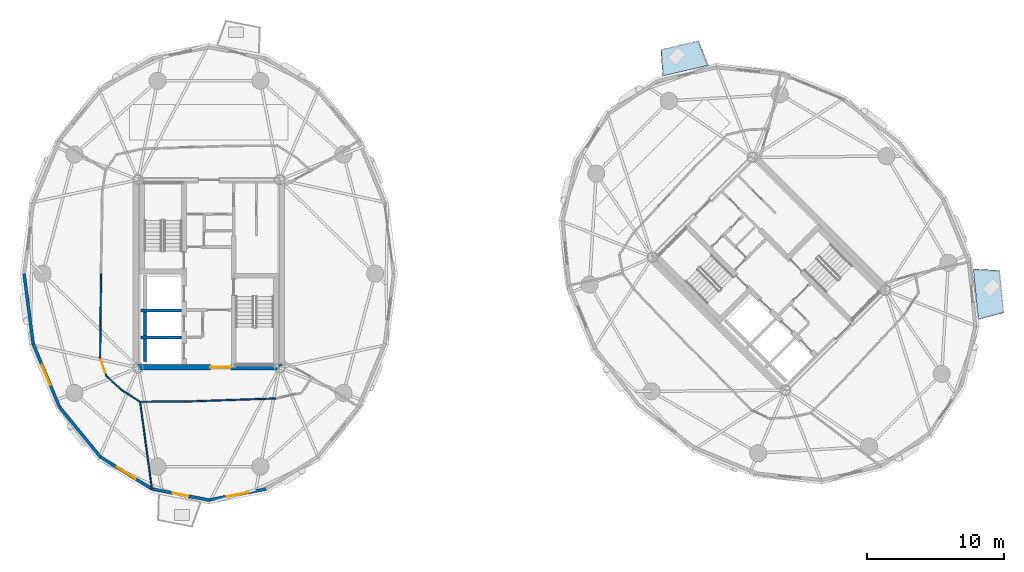
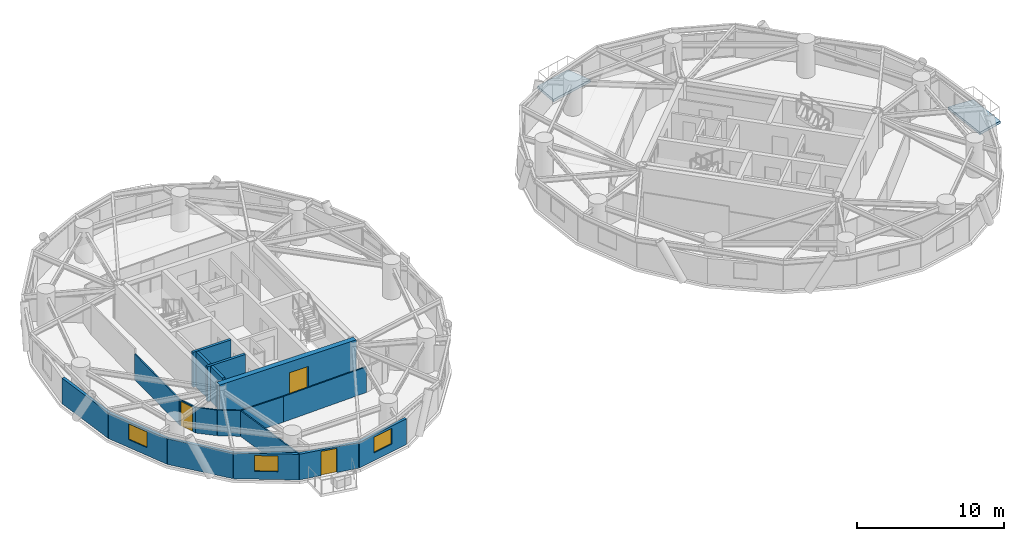
# One storey, part 7 of 15: 18 walls, 3 doors, 3 windows, 2 slabs, 6 openings.
"""IFC4 building model written with IfcOpenShell, lengths in metres."""

from ifc_helpers import new_model, si_unit, direction, frame, frame_2d, origin, place, context, subcontext, project, spatial, polyline, rectangle, outline, extrude, source, transform, mapped, material, layer, layer_set, type_object, element, fill, save


model = new_model("IFC4")

# Units and contexts
model_context = context("Model", 3, precision=1e-05, world=origin(), true_north=direction((0.0, 1.0)))
body_context = subcontext(model_context, "Body", "Model", "MODEL_VIEW")
ifc_project = project(units=[si_unit("LENGTHUNIT", "METRE"), si_unit("AREAUNIT", "SQUARE_METRE"), si_unit("VOLUMEUNIT", "CUBIC_METRE"), si_unit("PLANEANGLEUNIT", "RADIAN"), si_unit("MASSUNIT", "GRAM", prefix="KILO")], contexts=[model_context])

# Site, building, storey
site_placement = place(None, origin())
site = spatial("IfcSite", under=ifc_project, at=site_placement, CompositionType="ELEMENT")
building_placement = place(site_placement, origin())
building = spatial("IfcBuilding", under=site, at=building_placement, Name="Cununo Teusaquillo Station Towers", CompositionType="ELEMENT")
storey_placement = place(building_placement, frame((0.0, 0.0, 189.429931640625)))
storey = spatial("IfcBuildingStorey", under=building, at=storey_placement, Name="L60", CompositionType="ELEMENT", Elevation=189.429931640625)

# Slabs
ifc_material_1 = material(Name="Concrete C50/60", Category="concrete")
ifc_layer_1 = layer(ifc_material_1, 0.2099609375)
ifc_layer_set_1 = layer_set([ifc_layer_1], Name="Concrete C50/60")
slab_type = type_object("IfcSlabType", Name="SLB-BAL-210", PredefinedType="FLOOR", material=ifc_layer_set_1)
slab_1_placement = place(storey_placement, frame((0.0, 0.0, -0.2099609375)))
element("IfcSlab", 1, at=slab_1_placement, inside=storey, type_object=slab_type, Name="L60 Tower B Sky Garden Terrace Slab 1", PredefinedType="FLOOR", context=body_context, shape_type="SweptSolid", body=[
    extrude(outline(polyline([(53.064208984375, 39.75927734375), (49.720703125, 38.979248046875), (49.57763671875, 40.912353515625), (52.3369140625, 41.55615234375), (53.064208984375, 39.75927734375)])), origin(), (0.0, 0.0, 1.0), 0.2099609375),
])
slab_2_placement = place(storey_placement, frame((0.0, 0.0, -0.2099609375)))
element("IfcSlab", 2, at=slab_2_placement, inside=storey, type_object=slab_type, Name="L60 Tower B Tree Balcony Slab 2", PredefinedType="FLOOR", context=body_context, shape_type="SweptSolid", body=[
    extrude(outline(polyline([(72.830078125, 21.148681640625), (72.46337890625, 24.8505859375), (74.3984375, 24.740966796875), (74.706298828125, 21.63623046875), (72.830078125, 21.148681640625)])), origin(), (0.0, 0.0, 1.0), 0.2099609375),
])

# Walls
ifc_material_2 = material(Name="Concrete C50/60", Category="concrete")
ifc_layer_2 = layer(ifc_material_2, 0.199951171875)
ifc_layer_set_2 = layer_set([ifc_layer_2], Name="Concrete C50/60")
wall_type_1 = type_object("IfcWallType", Name="WL-CORE-200", PredefinedType="SHEAR", material=ifc_layer_set_2)
for number, where, z_axis, x_axis, name in (
    (3, (11.52001953125, 21.800048828125, 0.0), (0.0, 0.0, 1.0), (1.0, 0.0, 0.0), "L60 Tower A Firefighting Lift Shaft South Shear Wall"),
    (4, (11.52001953125, 19.824951171875, 0.0), (0.0, 0.0, 1.0), (1.0, 0.0, 0.0), "L60 Tower A High-Rise Lift Hoistway Divider Shear Wall"),
):
    element("IfcWall", number, at=place(storey_placement, frame(where, z_axis=z_axis, x_axis=x_axis)), inside=storey, type_object=wall_type_1, Name=name, PredefinedType="SHEAR", context=body_context, shape_type="SweptSolid", body=[
        extrude(rectangle(XDim=2.969970703125, YDim=0.199951171875, at=frame_2d((1.48486328125, 0.0))), origin(), (0.0, 0.0, 1.0), 2.91015625),
    ])
wall_1_placement = place(storey_placement, frame((11.820068359375, 19.945068359375, 0.0), z_axis=(0.0, 0.0, 1.0), x_axis=(0.0, 1.0, 0.0)))
element("IfcWall", 5, at=wall_1_placement, inside=storey, type_object=wall_type_1, Name="L60 Tower A High-Rise Lift 2 Shaft Rear Shear Wall", PredefinedType="SHEAR", context=body_context, shape_type="SweptSolid", body=[
    extrude(rectangle(XDim=1.73486328125, YDim=0.199951171875, at=frame_2d((0.867431640625, 0.0))), origin(), (0.0, 0.0, 1.0), 2.91015625),
])
wall_2_placement = place(storey_placement, frame((11.820068359375, 18.070068359375, 0.0), z_axis=(0.0, 0.0, 1.0), x_axis=(0.0, 1.0, 0.0)))
element("IfcWall", 6, at=wall_2_placement, inside=storey, type_object=wall_type_1, Name="L60 Tower A High-Rise Lift 1 Shaft Rear Shear Wall", PredefinedType="SHEAR", context=body_context, shape_type="SweptSolid", body=[
    extrude(rectangle(XDim=1.635009765625, YDim=0.199951171875, at=frame_2d((0.8173828125, 0.0))), origin(), (0.0, 0.0, 1.0), 2.91015625),
])

# Wall, opening, door
ifc_material_3 = material(Name="Concrete C50/60", Category="concrete")
ifc_layer_3 = layer(ifc_material_3, 0.39990234375)
ifc_layer_set_3 = layer_set([ifc_layer_3], Name="Concrete C50/60")
wall_type_2 = type_object("IfcWallType", Name="WL-CORE-400", PredefinedType="SHEAR", material=ifc_layer_set_3)
wall_3_placement = place(storey_placement, frame((11.14990234375, 17.64990234375, 0.0), z_axis=(0.0, 0.0, 1.0), x_axis=(1.0, 0.0, 0.0)))
wall_3 = element("IfcWall", 7, at=wall_3_placement, inside=storey, type_object=wall_type_2, Name="L60 Tower A Core Shear Wall S", PredefinedType="SHEAR", context=body_context, shape_type="SweptSolid", body=[
    extrude(rectangle(XDim=10.7001953125, YDim=0.39990234375, at=frame_2d((5.35009765625, 0.0))), origin(), (0.0, 0.0, 1.0), 2.91015625),
])
shared_shape_1 = source(origin(), body_context, "Body", "SweptSolid", [
    extrude(rectangle(XDim=1.5, YDim=2.02001953125, at=frame_2d((0.75, 1.010009765625))), frame((0.0, 0.2099609375, 0.0), z_axis=(0.0, -1.0, 0.0), x_axis=(1.0, 0.0, 0.0)), (0.0, 0.0, 1.0), 0.419921875),
])
opening_1_placement = place(wall_3_placement, frame((5.449951171875, 0.0, 0.0)))
opening_1 = element("IfcOpeningElement", 8, at=opening_1_placement, cuts=wall_3, Name="Opening D-LB1", PredefinedType="OPENING", context=body_context, shape_type="MappedRepresentation", body=[
    mapped(shared_shape_1, transform((0.0, 0.0, 0.0), x_axis=(1.0, 0.0, 0.0), y_axis=(0.0, 1.0, 0.0), z_axis=(0.0, 0.0, 1.0), scale=1.0)),
])
ifc_material_4 = material(Name="Galvanised fire-rated hollow steel door assembly", Category="steel")
door_type_1 = type_object("IfcDoorType", Name="DR-LOBBY-1500", OperationType="DOUBLE_DOOR_SINGLE_SWING", PredefinedType="DOOR", material=ifc_material_4)
shared_shape_2 = source(origin(), body_context, "Body", "SweptSolid", [
    extrude(rectangle(XDim=1.5, YDim=2.02001953125, at=frame_2d((0.75, 1.010009765625))), frame((0.0, 0.02490234375, 0.0), z_axis=(0.0, -1.0, 0.0), x_axis=(1.0, 0.0, 0.0)), (0.0, 0.0, 1.0), 0.050048828125),
])
door_1_placement = place(opening_1_placement, origin())
door_1 = element("IfcDoor", 9, at=door_1_placement, inside=storey, type_object=door_type_1, Name="L60 Tower A South Core Lift Lobby Door", OperationType="DOUBLE_DOOR_SINGLE_SWING", OverallHeight=2.02001953125, OverallWidth=1.5, PredefinedType="DOOR", context=body_context, shape_type="MappedRepresentation", body=[
    mapped(shared_shape_2, transform((0.0, 0.0, 0.0), x_axis=(1.0, 0.0, 0.0), y_axis=(0.0, 1.0, 0.0), z_axis=(0.0, 0.0, 1.0), scale=1.0)),
])
fill(opening_1, door_1)

# Wall
ifc_material_5 = material(Name="Precast concrete C40/50", Category="concrete")
ifc_layer_4 = layer(ifc_material_5, 0.219970703125)
ifc_layer_set_4 = layer_set([ifc_layer_4], Name="Precast concrete C40/50")
wall_type_3 = type_object("IfcWallType", Name="WL-EXT-220", PredefinedType="SOLIDWALL", material=ifc_layer_set_4)
wall_4_placement = place(storey_placement, frame((3.63134765625, 19.379638671875, 0.0), z_axis=(0.0, 0.0, 1.0), x_axis=(-0.128287912609, 0.991736966881, 0.0)))
element("IfcWall", 10, at=wall_4_placement, inside=storey, type_object=wall_type_3, Name="L60 Tower A Exterior Facade Wall C10", PredefinedType="SOLIDWALL", context=body_context, shape_type="SweptSolid", body=[
    extrude(rectangle(XDim=5.1630859375, YDim=0.219970703125, at=frame_2d((2.58154296875, 0.0))), origin(), (0.0, 0.0, 1.0), 2.125),
])

# Wall, opening, window
wall_5_placement = place(storey_placement, frame((5.55322265625, 14.760498046875, 0.0), z_axis=(0.0, 0.0, 1.0), x_axis=(-0.384144094086, 0.923273152961, 0.0)))
wall_5 = element("IfcWall", 11, at=wall_5_placement, inside=storey, type_object=wall_type_3, Name="L60 Tower A Exterior Facade Wall C11", PredefinedType="SOLIDWALL", context=body_context, shape_type="SweptSolid", body=[
    extrude(rectangle(XDim=5.0029296875, YDim=0.219970703125, at=frame_2d((2.50146484375, 0.0))), origin(), (0.0, 0.0, 1.0), 2.125),
])
shared_shape_3 = source(origin(), body_context, "Body", "SweptSolid", [
    extrude(rectangle(XDim=1.60009765625, YDim=1.300048828125, at=frame_2d((0.800048828125, 0.64990234375))), frame((0.0, 0.119873046875, 0.0), z_axis=(0.0, -1.0, 0.0), x_axis=(1.0, 0.0, 0.0)), (0.0, 0.0, 1.0), 0.239990234375),
])
opening_2_placement = place(wall_5_placement, frame((1.701904296875, 0.0, 0.64990234375)))
opening_2 = element("IfcOpeningElement", 12, at=opening_2_placement, cuts=wall_5, Name="Opening WN-03", PredefinedType="OPENING", context=body_context, shape_type="MappedRepresentation", body=[
    mapped(shared_shape_3, transform((0.0, 0.0, 0.0), x_axis=(1.0, 0.0, 0.0), y_axis=(0.0, 1.0, 0.0), z_axis=(0.0, 0.0, 1.0), scale=1.0)),
])
ifc_material_6 = material(Name="Ceramic-fritted dark low-E double glazing", Category="glass")
window_type = type_object("IfcWindowType", Name="WIN-CORN-1600", PartitioningType="SINGLE_PANEL", PredefinedType="WINDOW", material=ifc_material_6)
shared_shape_4 = source(origin(), body_context, "Body", "SweptSolid", [
    extrude(rectangle(XDim=1.60009765625, YDim=1.300048828125, at=frame_2d((0.800048828125, 0.64990234375))), frame((0.0, 0.030029296875, 0.0), z_axis=(0.0, -1.0, 0.0), x_axis=(1.0, 0.0, 0.0)), (0.0, 0.0, 1.0), 0.06005859375),
])
window_1_placement = place(opening_2_placement, origin())
window_1 = element("IfcWindow", 13, at=window_1_placement, inside=storey, type_object=window_type, Name="L60 Tower A Facade Window C11", OverallHeight=1.300048828125, OverallWidth=1.60009765625, PartitioningType="SINGLE_PANEL", PredefinedType="WINDOW", context=body_context, shape_type="MappedRepresentation", body=[
    mapped(shared_shape_4, transform((0.0, 0.0, 0.0), x_axis=(1.0, 0.0, 0.0), y_axis=(0.0, 1.0, 0.0), z_axis=(0.0, 0.0, 1.0), scale=1.0)),
])
fill(opening_2, window_1)

# Wall
wall_6_placement = place(storey_placement, frame((8.546630859375, 11.094482421875, 0.0), z_axis=(0.0, 0.0, 1.0), x_axis=(-0.632470615287, 0.774584353572, 0.0)))
element("IfcWall", 14, at=wall_6_placement, inside=storey, type_object=wall_type_3, Name="L60 Tower A Exterior Facade Wall C12", PredefinedType="SOLIDWALL", context=body_context, shape_type="SweptSolid", body=[
    extrude(rectangle(XDim=4.73291015625, YDim=0.219970703125, at=frame_2d((2.366455078125, 0.0))), origin(), (0.0, 0.0, 1.0), 2.125),
])

# Wall, opening, window
wall_7_placement = place(storey_placement, frame((12.318603515625, 8.740966796875, 0.0), z_axis=(0.0, 0.0, 1.0), x_axis=(-0.848399108042, 0.529357113368, 0.0)))
wall_7 = element("IfcWall", 15, at=wall_7_placement, inside=storey, type_object=wall_type_3, Name="L60 Tower A Exterior Facade Wall C13", PredefinedType="SOLIDWALL", context=body_context, shape_type="SweptSolid", body=[
    extrude(rectangle(XDim=4.446044921875, YDim=0.219970703125, at=frame_2d((2.22314453125, 0.0))), origin(), (0.0, 0.0, 1.0), 2.125),
])
opening_3_placement = place(wall_7_placement, frame((1.423095703125, 0.0, 0.64990234375)))
opening_3 = element("IfcOpeningElement", 16, at=opening_3_placement, cuts=wall_7, Name="Opening WN-03", PredefinedType="OPENING", context=body_context, shape_type="MappedRepresentation", body=[
    mapped(shared_shape_3, transform((0.0, 0.0, 0.0), x_axis=(1.0, 0.0, 0.0), y_axis=(0.0, 1.0, 0.0), z_axis=(0.0, 0.0, 1.0), scale=1.0)),
])
window_2_placement = place(opening_3_placement, origin())
window_2 = element("IfcWindow", 17, at=window_2_placement, inside=storey, type_object=window_type, Name="L60 Tower A Facade Window C13", OverallHeight=1.300048828125, OverallWidth=1.60009765625, PartitioningType="SINGLE_PANEL", PredefinedType="WINDOW", context=body_context, shape_type="MappedRepresentation", body=[
    mapped(shared_shape_4, transform((0.0, 0.0, 0.0), x_axis=(1.0, 0.0, 0.0), y_axis=(0.0, 1.0, 0.0), z_axis=(0.0, 0.0, 1.0), scale=1.0)),
])
fill(opening_3, window_2)

# Wall, opening, door
wall_8_placement = place(storey_placement, frame((16.5, 7.929931640625, 0.0), z_axis=(0.0, 0.0, 1.0), x_axis=(-0.981703883443, 0.190413983815, 0.0)))
wall_8 = element("IfcWall", 18, at=wall_8_placement, inside=storey, type_object=wall_type_3, Name="L60 Tower A Exterior Facade Wall C14", PredefinedType="SOLIDWALL", context=body_context, shape_type="SweptSolid", body=[
    extrude(rectangle(XDim=4.25927734375, YDim=0.219970703125, at=frame_2d((2.129638671875, 0.0))), origin(), (0.0, 0.0, 1.0), 2.125),
])
shared_shape_5 = source(origin(), body_context, "Body", "SweptSolid", [
    extrude(rectangle(XDim=1.14990234375, YDim=2.0048828125, at=frame_2d((0.574951171875, 1.00244140625))), frame((0.0, 0.119873046875, 0.0), z_axis=(0.0, -1.0, 0.0), x_axis=(1.0, 0.0, 0.0)), (0.0, 0.0, 1.0), 0.239990234375),
])
opening_4_placement = place(wall_8_placement, frame((1.554931640625, 0.0, 0.0)))
opening_4 = element("IfcOpeningElement", 19, at=opening_4_placement, cuts=wall_8, Name="Opening ED-03", PredefinedType="OPENING", context=body_context, shape_type="MappedRepresentation", body=[
    mapped(shared_shape_5, transform((0.0, 0.0, 0.0), x_axis=(1.0, 0.0, 0.0), y_axis=(0.0, 1.0, 0.0), z_axis=(0.0, 0.0, 1.0), scale=1.0)),
])
ifc_material_7 = material(Name="Anodised dark bronze aluminium EN AW-6063-T6", Category="aluminium")
door_type_2 = type_object("IfcDoorType", Name="DR-EXT-BAL", OperationType="NOTDEFINED", PredefinedType="DOOR", material=ifc_material_7)
shared_shape_6 = source(origin(), body_context, "Body", "SweptSolid", [
    extrude(rectangle(XDim=1.14990234375, YDim=2.0048828125, at=frame_2d((0.574951171875, 1.00244140625))), frame((0.0, 0.02490234375, 0.0), z_axis=(0.0, -1.0, 0.0), x_axis=(1.0, 0.0, 0.0)), (0.0, 0.0, 1.0), 0.050048828125),
])
door_2_placement = place(opening_4_placement, origin())
door_2 = element("IfcDoor", 20, at=door_2_placement, inside=storey, type_object=door_type_2, Name="L60 Tower A Tree Balcony Door C14", OperationType="SINGLE_SWING_LEFT", OverallHeight=2.0048828125, OverallWidth=1.14990234375, PredefinedType="DOOR", context=body_context, shape_type="MappedRepresentation", body=[
    mapped(shared_shape_6, transform((0.0, 0.0, 0.0), x_axis=(1.0, 0.0, 0.0), y_axis=(0.0, 1.0, 0.0), z_axis=(0.0, 0.0, 1.0), scale=1.0)),
])
fill(opening_4, door_2)

# Wall, opening, window
wall_9_placement = place(storey_placement, frame((20.681396484375, 8.740966796875, 0.0), z_axis=(0.0, 0.0, 1.0), x_axis=(-0.981703883443, -0.190413983815, 0.0)))
wall_9 = element("IfcWall", 21, at=wall_9_placement, inside=storey, type_object=wall_type_3, Name="L60 Tower A Exterior Facade Wall C15", PredefinedType="SOLIDWALL", context=body_context, shape_type="SweptSolid", body=[
    extrude(rectangle(XDim=4.25927734375, YDim=0.219970703125, at=frame_2d((2.129638671875, 0.0))), origin(), (0.0, 0.0, 1.0), 2.125),
])
opening_5_placement = place(wall_9_placement, frame((1.330078125, 0.0, 0.64990234375)))
opening_5 = element("IfcOpeningElement", 22, at=opening_5_placement, cuts=wall_9, Name="Opening WN-03", PredefinedType="OPENING", context=body_context, shape_type="MappedRepresentation", body=[
    mapped(shared_shape_3, transform((0.0, 0.0, 0.0), x_axis=(1.0, 0.0, 0.0), y_axis=(0.0, 1.0, 0.0), z_axis=(0.0, 0.0, 1.0), scale=1.0)),
])
window_3_placement = place(opening_5_placement, origin())
window_3 = element("IfcWindow", 23, at=window_3_placement, inside=storey, type_object=window_type, Name="L60 Tower A Facade Window C15", OverallHeight=1.300048828125, OverallWidth=1.60009765625, PartitioningType="SINGLE_PANEL", PredefinedType="WINDOW", context=body_context, shape_type="MappedRepresentation", body=[
    mapped(shared_shape_4, transform((0.0, 0.0, 0.0), x_axis=(1.0, 0.0, 0.0), y_axis=(0.0, 1.0, 0.0), z_axis=(0.0, 0.0, 1.0), scale=1.0)),
])
fill(opening_5, window_3)

# Wall
ifc_material_8 = material(Name="Fire-rated gypsum plasterboard partition assembly", Category="gypsum")
ifc_layer_5 = layer(ifc_material_8, 0.10009765625)
ifc_layer_set_5 = layer_set([ifc_layer_5], Name="Fire-rated gypsum plasterboard partition assembly")
wall_type_4 = type_object("IfcWallType", Name="WL-PART-100", PredefinedType="MOVABLE", material=ifc_layer_set_5)
wall_10_placement = place(storey_placement, frame((8.60009765625, 24.5, 0.0), z_axis=(0.0, 0.0, 1.0), x_axis=(-0.010023665349, -0.999949761805, 0.0)))
element("IfcWall", 24, at=wall_10_placement, inside=storey, type_object=wall_type_4, Name="L60 Tower A Corridor Ring Wall C10", PredefinedType="MOVABLE", context=body_context, shape_type="SweptSolid", body=[
    extrude(rectangle(XDim=6.162109375, YDim=0.10009765625, at=frame_2d((3.0810546875, 0.0))), origin(), (0.0, 0.0, 1.0), 2.125),
])

# Wall, opening, door
wall_11_placement = place(storey_placement, frame((8.538330078125, 18.338134765625, 0.0), z_axis=(0.0, 0.0, 1.0), x_axis=(0.331358150167, -0.94350504838, 0.0)))
wall_11 = element("IfcWall", 25, at=wall_11_placement, inside=storey, type_object=wall_type_4, Name="L60 Tower A Corridor Ring Wall C11", PredefinedType="MOVABLE", context=body_context, shape_type="SweptSolid", body=[
    extrude(rectangle(XDim=1.42431640625, YDim=0.10009765625, at=frame_2d((0.712158203125, 0.0))), origin(), (0.0, 0.0, 1.0), 2.125),
])
shared_shape_7 = source(origin(), body_context, "Body", "SweptSolid", [
    extrude(rectangle(XDim=1.050048828125, YDim=2.014892578125, at=frame_2d((0.52490234375, 1.00732421875))), frame((0.0, 0.06005859375, 0.0), z_axis=(0.0, -1.0, 0.0), x_axis=(1.0, 0.0, 0.0)), (0.0, 0.0, 1.0), 0.1201171875),
])
opening_6_placement = place(wall_11_placement, frame((0.1201171875, 0.0, 0.0)))
opening_6 = element("IfcOpeningElement", 26, at=opening_6_placement, cuts=wall_11, Name="Opening D-SU1", PredefinedType="OPENING", context=body_context, shape_type="MappedRepresentation", body=[
    mapped(shared_shape_7, transform((0.0, 0.0, 0.0), x_axis=(1.0, 0.0, 0.0), y_axis=(0.0, 1.0, 0.0), z_axis=(0.0, 0.0, 1.0), scale=1.0)),
])
ifc_material_9 = material(Name="Acoustic solid-core hardwood leaf assembly", Category="wood")
door_type_3 = type_object("IfcDoorType", Name="DR-SUITE-1050", OperationType="NOTDEFINED", PredefinedType="DOOR", material=ifc_material_9)
shared_shape_8 = source(origin(), body_context, "Body", "SweptSolid", [
    extrude(rectangle(XDim=1.050048828125, YDim=2.014892578125, at=frame_2d((0.52490234375, 1.00732421875))), frame((0.0, 0.02490234375, 0.0), z_axis=(0.0, -1.0, 0.0), x_axis=(1.0, 0.0, 0.0)), (0.0, 0.0, 1.0), 0.050048828125),
])
door_3_placement = place(opening_6_placement, origin())
door_3 = element("IfcDoor", 27, at=door_3_placement, inside=storey, type_object=door_type_3, Name="L60 Tower A Imperial Canopy Exhibition Lounge Entrance Door", OperationType="SINGLE_SWING_RIGHT", OverallHeight=2.014892578125, OverallWidth=1.050048828125, PredefinedType="DOOR", context=body_context, shape_type="MappedRepresentation", body=[
    mapped(shared_shape_8, transform((0.0, 0.0, 0.0), x_axis=(1.0, 0.0, 0.0), y_axis=(0.0, 1.0, 0.0), z_axis=(0.0, 0.0, 1.0), scale=1.0)),
])
fill(opening_6, door_3)

# Walls
wall_12_placement = place(storey_placement, frame((9.01025390625, 16.994384765625, 0.0), z_axis=(0.0, 0.0, 1.0), x_axis=(0.737701798986, -0.67512669609, 0.0)))
element("IfcWall", 28, at=wall_12_placement, inside=storey, type_object=wall_type_4, Name="L60 Tower A Corridor Ring Wall C12", PredefinedType="MOVABLE", context=body_context, shape_type="SweptSolid", body=[
    extrude(rectangle(XDim=1.498291015625, YDim=0.10009765625, at=frame_2d((0.7490234375, 0.0))), origin(), (0.0, 0.0, 1.0), 2.125),
])
wall_13_placement = place(storey_placement, frame((10.115478515625, 15.98291015625, 0.0), z_axis=(0.0, 0.0, 1.0), x_axis=(0.843995849351, -0.536349705209, 0.0)))
element("IfcWall", 29, at=wall_13_placement, inside=storey, type_object=wall_type_4, Name="L60 Tower A Corridor Ring Wall C13", PredefinedType="MOVABLE", context=body_context, shape_type="SweptSolid", body=[
    extrude(rectangle(XDim=1.5927734375, YDim=0.10009765625, at=frame_2d((0.79638671875, 0.0))), origin(), (0.0, 0.0, 1.0), 2.125),
])
wall_14_placement = place(storey_placement, frame((11.459716796875, 15.128662109375, 0.0), z_axis=(0.0, 0.0, 1.0), x_axis=(0.999993513287, 0.003601858435, 0.0)))
element("IfcWall", 30, at=wall_14_placement, inside=storey, type_object=wall_type_4, Name="L60 Tower A Corridor Ring Wall C14", PredefinedType="MOVABLE", context=body_context, shape_type="SweptSolid", body=[
    extrude(rectangle(XDim=3.3212890625, YDim=0.10009765625, at=frame_2d((1.66064453125, 0.0))), origin(), (0.0, 0.0, 1.0), 2.125),
])
wall_15_placement = place(storey_placement, frame((14.781005859375, 15.140625, 0.0), z_axis=(0.0, 0.0, 1.0), x_axis=(0.999407918707, 0.034406569513, 0.0)))
element("IfcWall", 31, at=wall_15_placement, inside=storey, type_object=wall_type_4, Name="L60 Tower A Corridor Ring Wall C15", PredefinedType="MOVABLE", context=body_context, shape_type="SweptSolid", body=[
    extrude(rectangle(XDim=6.6416015625, YDim=0.10009765625, at=frame_2d((3.32080078125, 0.0))), origin(), (0.0, 0.0, 1.0), 2.125),
])
wall_16_placement = place(storey_placement, frame((11.459716796875, 15.128662109375, 0.0), z_axis=(0.0, 0.0, 1.0), x_axis=(0.134621607411, -0.990897079831, 0.0)))
element("IfcWall", 32, at=wall_16_placement, inside=storey, type_object=wall_type_4, Name="L60 Tower A Radial Suite Partition R03", PredefinedType="MOVABLE", context=body_context, shape_type="SweptSolid", body=[
    extrude(rectangle(XDim=6.42724609375, YDim=0.10009765625, at=frame_2d((3.213623046875, 0.0))), origin(), (0.0, 0.0, 1.0), 2.125),
])

save(model, "model.ifc")
